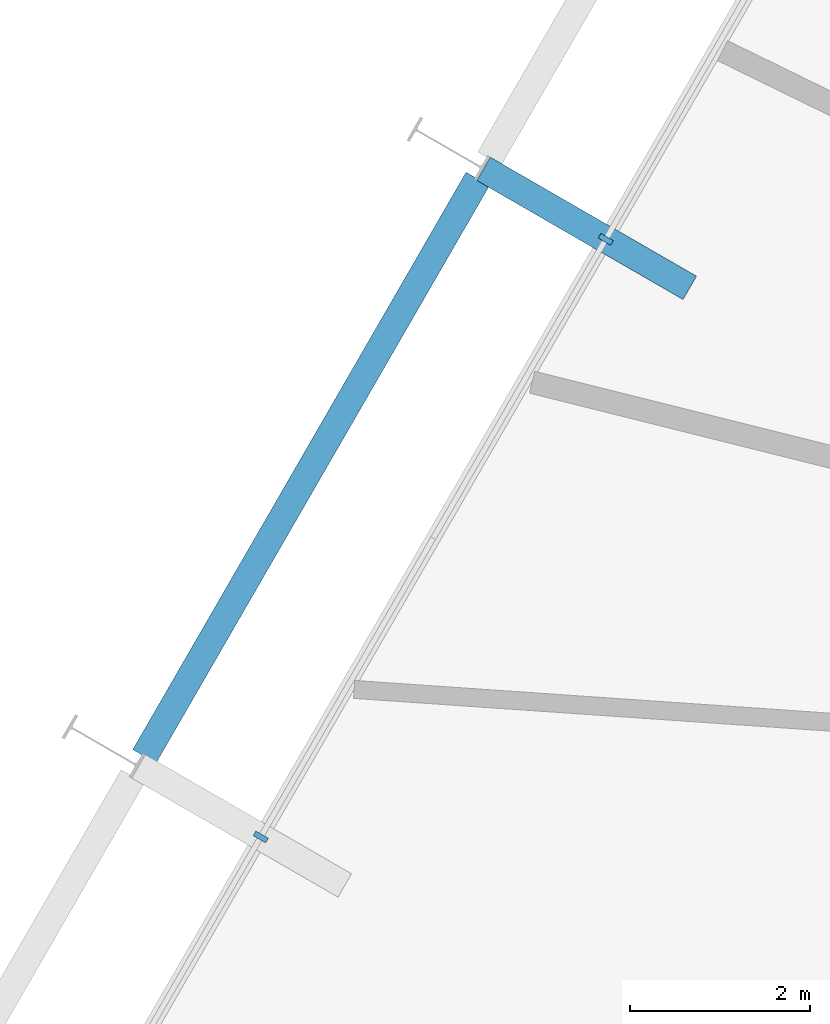
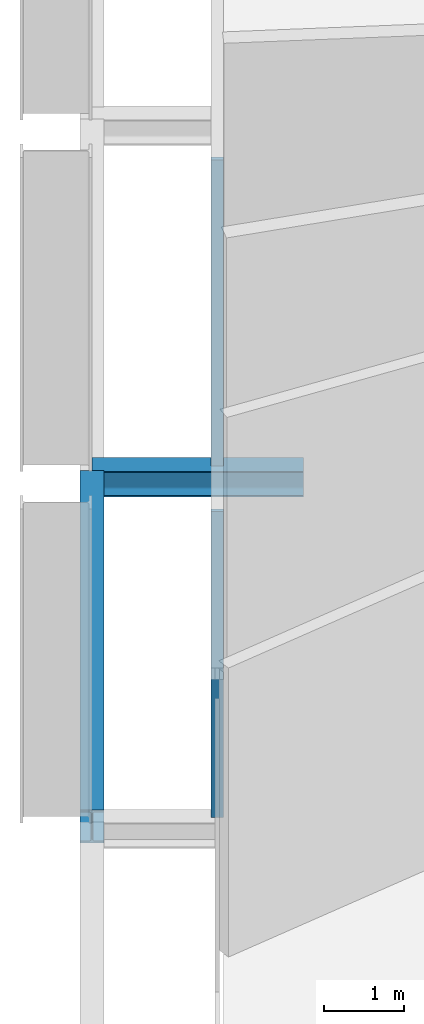
# One storey, part 5 of 17: 2 beams, 2 members, 1 element without a shape of its own.
"""IFC4 building model written with IfcOpenShell, lengths in metres."""

from ifc_helpers import new_model, si_unit, direction, frame, origin, origin_2d, place, context, subcontext, project, spatial, rectangle, i_section, extrude, material, layer, layer_set, material_profile, profile_set, type_object, element, aggregate, save


model = new_model("IFC4")

# Units and contexts
model_context = context("Model", 3, precision=1e-05, world=origin(), true_north=direction((0.0, 1.0)))
body_context = subcontext(model_context, "Body", "Model", "MODEL_VIEW")
ifc_project = project(units=[si_unit("LENGTHUNIT", "METRE"), si_unit("AREAUNIT", "SQUARE_METRE"), si_unit("VOLUMEUNIT", "CUBIC_METRE"), si_unit("PLANEANGLEUNIT", "RADIAN"), si_unit("MASSUNIT", "GRAM", prefix="KILO")], contexts=[model_context])

# Site, building, storey
site_placement = place(None, origin())
site = spatial("IfcSite", under=ifc_project, at=site_placement, CompositionType="ELEMENT")
building_placement = place(site_placement, origin())
building = spatial("IfcBuilding", under=site, at=building_placement, Name="Spindle Arch Residences", CompositionType="ELEMENT")
storey_placement = place(building_placement, frame((0.0, 0.0, 23.39990234375)))
storey = spatial("IfcBuildingStorey", under=building, at=storey_placement, Name="L04", CompositionType="ELEMENT", Elevation=23.39990234375)

# Curtain wall, members
ifc_material_1 = material(Name="Aluminium bronze unitised frame with tinted glass", Category="aluminium")
ifc_layer = layer(ifc_material_1, 0.159912109375)
ifc_layer_set = layer_set([ifc_layer], Name="CW-B amenity podium glazed wall")
curtain_wall_type = type_object("IfcCurtainWallType", Name="CW-B amenity podium glazed wall", PredefinedType="NOTDEFINED", material=ifc_layer_set)
curtain_wall_placement = place(storey_placement, origin())
curtain_wall = element("IfcCurtainWall", 1, at=curtain_wall_placement, inside=storey, type_object=curtain_wall_type, Name="CW-B L04 run 4", PredefinedType="NOTDEFINED")
ifc_material_2 = material(Name="Aluminium bronze anodised mullion", Category="aluminium")
ifc_material_profile_1 = material_profile(ifc_material_2, rectangle(XDim=0.159912109375, YDim=0.06005859375, at=origin_2d()), Name="MU 60x160")
ifc_profile_set_1 = profile_set([ifc_material_profile_1], Name="Aluminium bronze anodised mullion")
member_type = type_object("IfcMemberType", Name="Bronze mullion 60x160", PredefinedType="MULLION", material=ifc_profile_set_1)
member_1_placement = place(storey_placement, frame((-18.9892578125, 6.529296875, -0.3798828125), z_axis=(0.0, 0.0, 1.0), x_axis=(0.866025403784, -0.5, 0.0)))
member_1 = element("IfcMember", 2, at=member_1_placement, type_object=member_type, Name="CW-B mullion 16", PredefinedType="MULLION", context=body_context, shape_type="SweptSolid", body=[
    extrude(rectangle(XDim=0.159912109375, YDim=0.06005859375, at=origin_2d()), origin(), (0.0, 0.0, 1.0), 4.679931640625),
])
member_2_placement = place(storey_placement, frame((-22.829345703125, -0.121826171875, -0.3798828125), z_axis=(0.0, 0.0, 1.0), x_axis=(0.866025403784, -0.5, 0.0)))
member_2 = element("IfcMember", 3, at=member_2_placement, type_object=member_type, Name="CW-B mullion 17", PredefinedType="MULLION", context=body_context, shape_type="SweptSolid", body=[
    extrude(rectangle(XDim=0.159912109375, YDim=0.06005859375, at=origin_2d()), origin(), (0.0, 0.0, 1.0), 4.679931640625),
])
aggregate(curtain_wall, [member_1, member_2])

# Beams
ifc_material_3 = material(Name="Steel S460ML, intumescent coating R 120", Category="steel")
ifc_material_profile_2 = material_profile(ifc_material_3, i_section(OverallWidth=0.300048828125, OverallDepth=0.5, WebThickness=0.014404296875, FlangeThickness=0.028076171875, FilletRadius=0.027099609375, at=origin_2d()), Name="HEB 500")
ifc_profile_set_2 = profile_set([ifc_material_profile_2], Name="Steel S460ML, intumescent coating R 120")
beam_type_1 = type_object("IfcBeamType", Name="Exoskeleton edge beam HEB 500", PredefinedType="BEAM", material=ifc_profile_set_2)
beam_1_placement = place(storey_placement, frame((-20.4140625, 7.201904296875, -0.6298828125), z_axis=(-0.49998923004, -0.866031621735, 0.0), x_axis=(0.866031621735, -0.49998923004, 0.0)))
element("IfcBeam", 4, at=beam_1_placement, inside=storey, type_object=beam_type_1, Name="Exoskeleton edge beam 17", PredefinedType="BEAM", context=body_context, shape_type="SweptSolid", body=[
    extrude(i_section(OverallWidth=0.300048828125, OverallDepth=0.5, WebThickness=0.014404296875, FlangeThickness=0.028076171875, FilletRadius=0.027099609375, at=origin_2d()), origin(), (0.0, 0.0, 1.0), 7.420166015625),
])
ifc_material_4 = material(Name="Steel S460ML, intumescent coating R 120", Category="steel")
ifc_material_profile_3 = material_profile(ifc_material_4, i_section(OverallWidth=0.300048828125, OverallDepth=0.389892578125, WebThickness=0.010986328125, FlangeThickness=0.01904296875, FilletRadius=0.027099609375, at=origin_2d()), Name="HEA 400")
ifc_profile_set_3 = profile_set([ifc_material_profile_3], Name="Steel S460ML, intumescent coating R 120")
beam_type_2 = type_object("IfcBeamType", Name="Floor outrigger HEA 400", PredefinedType="BEAM", material=ifc_profile_set_3)
beam_2_placement = place(storey_placement, frame((-20.34912109375, 7.314453125, -0.574951171875), z_axis=(0.866052124492, -0.499953715521, 0.0), x_axis=(0.499953715521, 0.866052124492, 0.0)))
element("IfcBeam", 5, at=beam_2_placement, inside=storey, type_object=beam_type_2, Name="Floor outrigger 17", PredefinedType="BEAM", context=body_context, shape_type="SweptSolid", body=[
    extrude(i_section(OverallWidth=0.300048828125, OverallDepth=0.389892578125, WebThickness=0.010986328125, FlangeThickness=0.01904296875, FilletRadius=0.027099609375, at=origin_2d()), origin(), (0.0, 0.0, 1.0), 2.650146484375),
])

save(model, "model.ifc")
